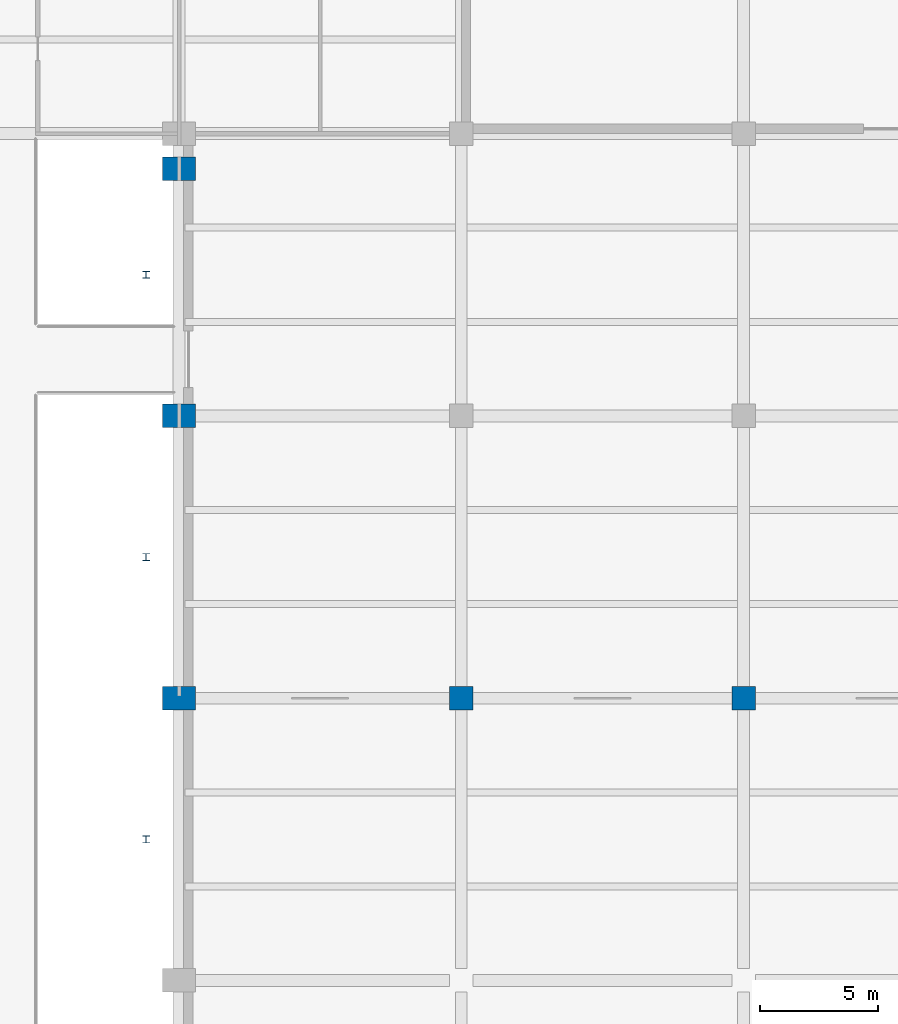
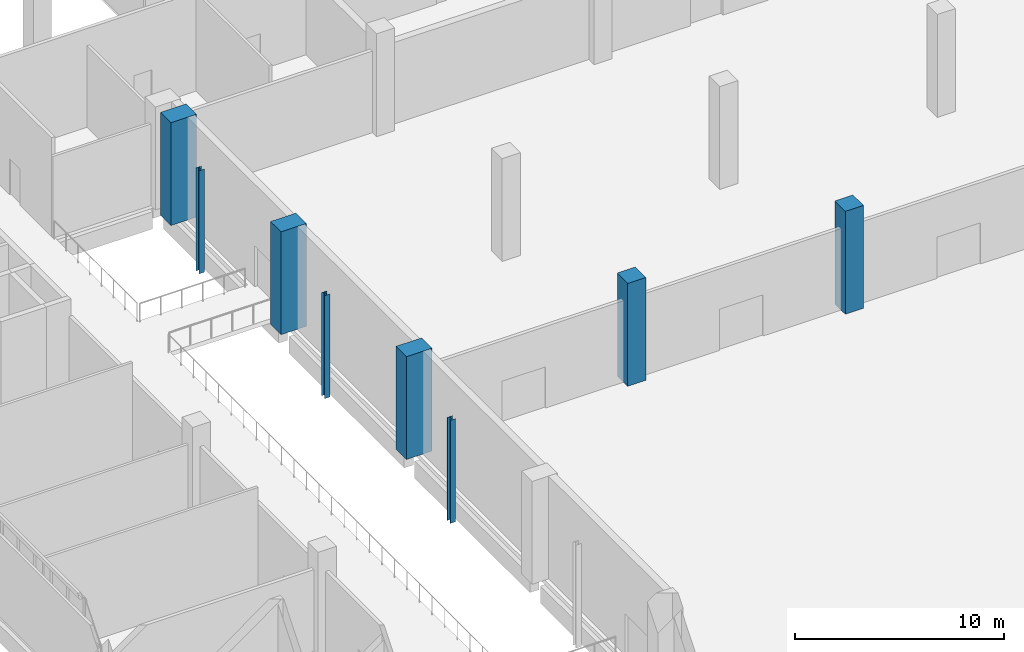
# One storey, part 10 of 72: 8 columns.
"""IFC4 building model written with IfcOpenShell, lengths in metres."""

from ifc_helpers import new_model, si_unit, direction, frame, origin, origin_2d, place, context, subcontext, project, spatial, rectangle, i_section, extrude, material, material_profile, profile_set, type_object, element, save


model = new_model("IFC4")

# Units and contexts
model_context = context("Model", 3, precision=1e-05, world=origin(), true_north=direction((0.0, 1.0)))
body_context = subcontext(model_context, "Body", "Model", "MODEL_VIEW")
ifc_project = project(units=[si_unit("LENGTHUNIT", "METRE"), si_unit("AREAUNIT", "SQUARE_METRE"), si_unit("VOLUMEUNIT", "CUBIC_METRE"), si_unit("PLANEANGLEUNIT", "RADIAN"), si_unit("MASSUNIT", "GRAM", prefix="KILO")], contexts=[model_context])

# Site, building, storey
site_placement = place(None, origin())
site = spatial("IfcSite", under=ifc_project, at=site_placement, CompositionType="ELEMENT")
building_placement = place(site_placement, origin())
building = spatial("IfcBuilding", under=site, at=building_placement, Name="Lilac Gate Convention Centre", CompositionType="ELEMENT")
storey_placement = place(building_placement, frame((0.0, 0.0, 6.0)))
storey = spatial("IfcBuildingStorey", under=building, at=storey_placement, Name="L01", CompositionType="ELEMENT", Elevation=6.0)

# Columns
ifc_material_1 = material(Name="Concrete C40", Category="concrete")
ifc_material_profile_1 = material_profile(ifc_material_1, rectangle(XDim=1.0, YDim=1.0, at=origin_2d()), Name="RC 1000x1000")
ifc_profile_set_1 = profile_set([ifc_material_profile_1], Name="Concrete C40")
column_type_1 = type_object("IfcColumnType", Name="RC column 1000x1000 C40", PredefinedType="COLUMN", material=ifc_profile_set_1)
for number, where, z_axis, x_axis, name in (
    (1, (42.0, 198.0, 0.0), (0.0, 0.0, 1.0), (1.0, 0.0, 0.0), "C1 L01 at 4/Q"),
    (2, (54.0, 198.0, 0.0), (0.0, 0.0, 1.0), (1.0, 0.0, 0.0), "C1 L01 at 5/Q"),
):
    element("IfcColumn", number, at=place(storey_placement, frame(where, z_axis=z_axis, x_axis=x_axis)), inside=storey, type_object=column_type_1, Name=name, PredefinedType="COLUMN", context=body_context, shape_type="SweptSolid", body=[
        extrude(rectangle(XDim=1.0, YDim=1.0, at=origin_2d()), origin(), (0.0, 0.0, 1.0), 6.0),
    ])
ifc_material_profile_2 = material_profile(ifc_material_1, rectangle(XDim=1.39990234375, YDim=1.0, at=origin_2d()), Name="RC 1400x1000")
ifc_profile_set_2 = profile_set([ifc_material_profile_2], Name="Concrete C40")
column_type_2 = type_object("IfcColumnType", Name="RC hall column 1400x1000 C40", PredefinedType="COLUMN", material=ifc_profile_set_2)
for number, where, z_axis, x_axis, name in (
    (3, (30.0, 198.0, 0.0), (0.0, 0.0, 1.0), (1.0, 0.0, 0.0), "C2 L01 at 3/Q"),
    (4, (30.0, 210.0, 0.0), (0.0, 0.0, 1.0), (1.0, 0.0, 0.0), "C2 L01 at 3/R"),
    (5, (30.0, 220.5, 0.0), (0.0, 0.0, 1.0), (1.0, 0.0, 0.0), "C2 L01 at 30/220.5"),
):
    element("IfcColumn", number, at=place(storey_placement, frame(where, z_axis=z_axis, x_axis=x_axis)), inside=storey, type_object=column_type_2, Name=name, PredefinedType="COLUMN", context=body_context, shape_type="SweptSolid", body=[
        extrude(rectangle(XDim=1.39990234375, YDim=1.0, at=origin_2d()), origin(), (0.0, 0.0, 1.0), 6.0),
    ])
ifc_material_2 = material(Name="Steel Q355B", Category="steel")
ifc_material_profile_3 = material_profile(ifc_material_2, i_section(OverallWidth=0.300048828125, OverallDepth=0.300048828125, WebThickness=0.010009765625, FlangeThickness=0.014892578125, FilletRadius=0.012939453125, at=origin_2d()), Name="HW300x300x10x15")
ifc_profile_set_3 = profile_set([ifc_material_profile_3], Name="Steel Q355B")
column_type_3 = type_object("IfcColumnType", Name="Steel column HW300x300x10x15", PredefinedType="COLUMN", material=ifc_profile_set_3)
for number, where, z_axis, x_axis, name in (
    (6, (28.60009765625, 192.0, 0.0), (0.0, 0.0, 1.0), (1.0, 0.0, 0.0), "SC1 L01 atrium column at 192"),
    (7, (28.60009765625, 204.0, 0.0), (0.0, 0.0, 1.0), (1.0, 0.0, 0.0), "SC1 L01 atrium column at 204"),
    (8, (28.60009765625, 216.0, 0.0), (0.0, 0.0, 1.0), (1.0, 0.0, 0.0), "SC1 L01 atrium column at 216"),
):
    element("IfcColumn", number, at=place(storey_placement, frame(where, z_axis=z_axis, x_axis=x_axis)), inside=storey, type_object=column_type_3, Name=name, PredefinedType="COLUMN", context=body_context, shape_type="SweptSolid", body=[
        extrude(i_section(OverallWidth=0.300048828125, OverallDepth=0.300048828125, WebThickness=0.010009765625, FlangeThickness=0.014892578125, FilletRadius=0.012939453125, at=origin_2d()), origin(), (0.0, 0.0, 1.0), 6.0),
    ])

save(model, "model.ifc")
